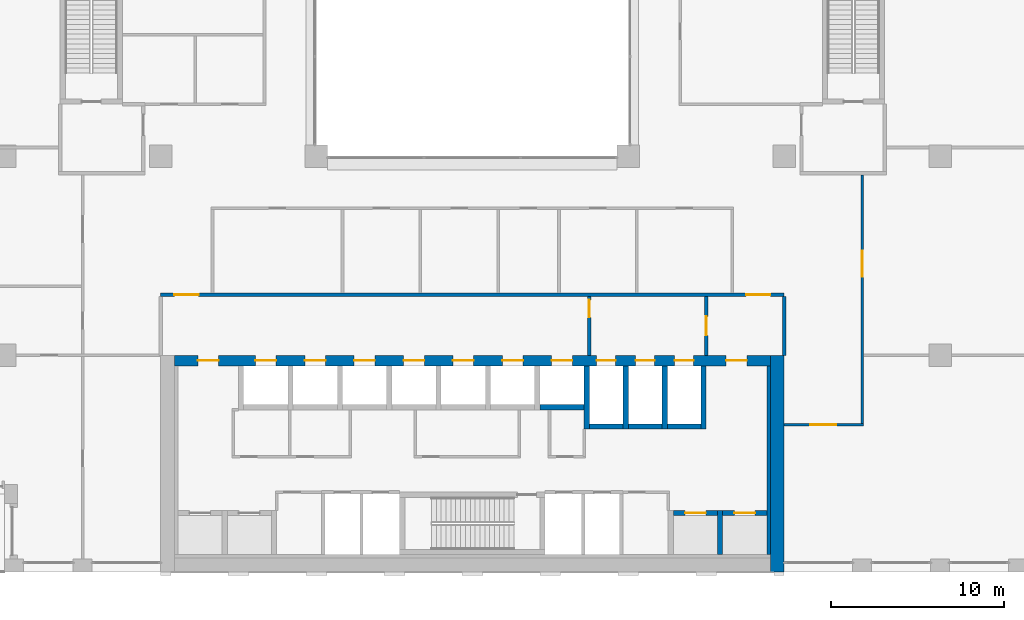
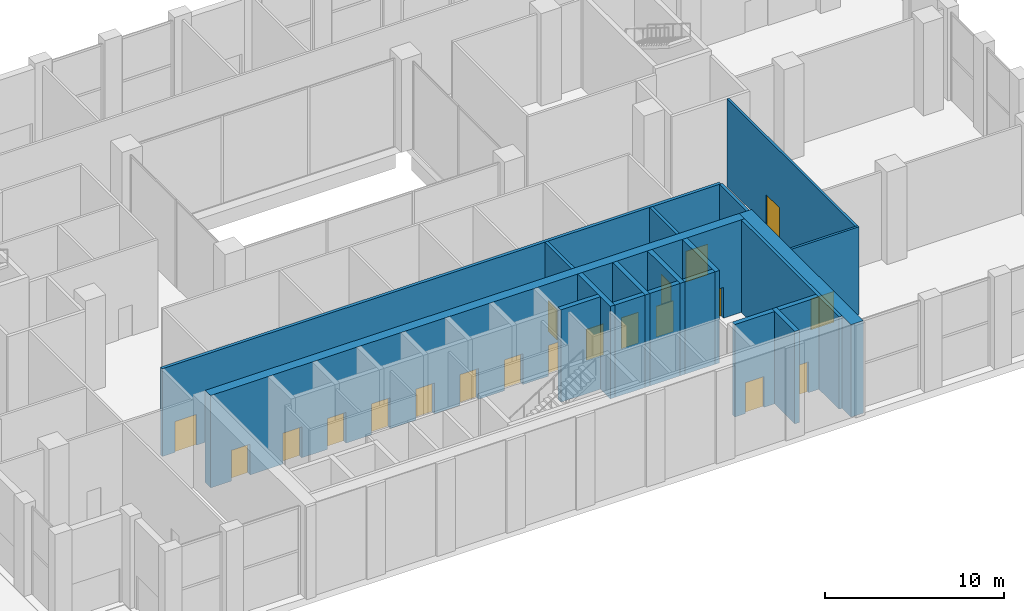
# One storey, part 15 of 21: 20 doors, 20 walls, 20 openings.
"""IFC4 building model written with IfcOpenShell, lengths in metres."""

from ifc_helpers import new_model, si_unit, direction, frame, frame_2d, origin, place, context, subcontext, project, spatial, rectangle, extrude, material, layer, layer_set, type_object, element, fill, save


model = new_model("IFC4")

# Units and contexts
model_context = context("Model", 3, precision=1e-05, world=origin(), true_north=direction((0.0, 1.0)))
body_context = subcontext(model_context, "Body", "Model", "MODEL_VIEW")
ifc_project = project(units=[si_unit("LENGTHUNIT", "METRE"), si_unit("AREAUNIT", "SQUARE_METRE"), si_unit("VOLUMEUNIT", "CUBIC_METRE"), si_unit("PLANEANGLEUNIT", "RADIAN"), si_unit("MASSUNIT", "GRAM", prefix="KILO")], contexts=[model_context])

# Site, building, storey
site_placement = place(None, origin())
site = spatial("IfcSite", under=ifc_project, at=site_placement, CompositionType="ELEMENT")
building_placement = place(site_placement, origin())
building = spatial("IfcBuilding", under=site, at=building_placement, Name="Brigalow Station Residences", CompositionType="ELEMENT")
storey_placement = place(building_placement, frame((0.0, 0.0, 77.25)))
storey = spatial("IfcBuildingStorey", under=building, at=storey_placement, Name="L22", CompositionType="ELEMENT", Elevation=77.25)

# Walls
ifc_material_1 = material(Name="Concrete C65", Category="concrete")
ifc_layer_1 = layer(ifc_material_1, 0.199951171875)
ifc_layer_set_1 = layer_set([ifc_layer_1], Name="CORE SHEAR WALL 200 C65")
wall_type_1 = type_object("IfcWallType", Name="CORE SHEAR WALL 200 C65", PredefinedType="SHEAR", material=ifc_layer_set_1)
wall_1_placement = place(storey_placement, frame((53.10009765625, 1.0, 0.0), z_axis=(0.0, 0.0, 1.0), x_axis=(0.0, 1.0, 0.0)))
element("IfcWall", 1, at=wall_1_placement, inside=storey, type_object=wall_type_1, Name="CORE WALL LIN-E L22", PredefinedType="SHEAR", context=body_context, shape_type="SweptSolid", body=[
    extrude(rectangle(XDim=10.89990234375, YDim=0.199951171875, at=frame_2d((5.449951171875, 0.0))), origin(), (0.0, 0.0, 1.0), 6.300048828125),
])
ifc_material_2 = material(Name="Concrete C65", Category="concrete")
ifc_layer_2 = layer(ifc_material_2, 0.300048828125)
ifc_layer_set_2 = layer_set([ifc_layer_2], Name="CORE SHEAR WALL 300 C65")
wall_type_2 = type_object("IfcWallType", Name="CORE SHEAR WALL 300 C65", PredefinedType="SHEAR", material=ifc_layer_set_2)
wall_2_placement = place(storey_placement, frame((39.89990234375, 9.5, 0.0), z_axis=(0.0, 0.0, 1.0), x_axis=(1.0, 0.0, 0.0)))
element("IfcWall", 2, at=wall_2_placement, inside=storey, type_object=wall_type_2, Name="CORE WALL SH-X2-S L22", PredefinedType="SHEAR", context=body_context, shape_type="SweptSolid", body=[
    extrude(rectangle(XDim=2.550048828125, YDim=0.300048828125, at=frame_2d((1.27490234375, 0.0))), origin(), (0.0, 0.0, 1.0), 6.300048828125),
])
wall_3_placement = place(storey_placement, frame((42.75, 8.39990234375, 0.0), z_axis=(0.0, 0.0, 1.0), x_axis=(1.0, 0.0, 0.0)))
element("IfcWall", 3, at=wall_3_placement, inside=storey, type_object=wall_type_2, Name="CORE WALL SH-FF1-S L22", PredefinedType="SHEAR", context=body_context, shape_type="SweptSolid", body=[
    extrude(rectangle(XDim=1.949951171875, YDim=0.300048828125, at=frame_2d((0.97509765625, 0.0))), origin(), (0.0, 0.0, 1.0), 6.300048828125),
])
wall_4_placement = place(storey_placement, frame((42.60009765625, 8.25, 0.0), z_axis=(0.0, 0.0, 1.0), x_axis=(0.0, 1.0, 0.0)))
element("IfcWall", 4, at=wall_4_placement, inside=storey, type_object=wall_type_2, Name="CORE WALL SH-FF1-W L22", PredefinedType="SHEAR", context=body_context, shape_type="SweptSolid", body=[
    extrude(rectangle(XDim=3.64990234375, YDim=0.300048828125, at=frame_2d((1.824951171875, 0.0))), origin(), (0.0, 0.0, 1.0), 6.300048828125),
])
wall_5_placement = place(storey_placement, frame((45.0, 8.39990234375, 0.0), z_axis=(0.0, 0.0, 1.0), x_axis=(1.0, 0.0, 0.0)))
element("IfcWall", 5, at=wall_5_placement, inside=storey, type_object=wall_type_2, Name="CORE WALL SH-FF2-S L22", PredefinedType="SHEAR", context=body_context, shape_type="SweptSolid", body=[
    extrude(rectangle(XDim=1.949951171875, YDim=0.300048828125, at=frame_2d((0.97509765625, 0.0))), origin(), (0.0, 0.0, 1.0), 6.300048828125),
])
wall_6_placement = place(storey_placement, frame((44.85009765625, 8.25, 0.0), z_axis=(0.0, 0.0, 1.0), x_axis=(0.0, 1.0, 0.0)))
element("IfcWall", 6, at=wall_6_placement, inside=storey, type_object=wall_type_2, Name="CORE WALL SH-FF2-W L22", PredefinedType="SHEAR", context=body_context, shape_type="SweptSolid", body=[
    extrude(rectangle(XDim=3.64990234375, YDim=0.300048828125, at=frame_2d((1.824951171875, 0.0))), origin(), (0.0, 0.0, 1.0), 6.300048828125),
])
wall_7_placement = place(storey_placement, frame((47.25, 8.39990234375, 0.0), z_axis=(0.0, 0.0, 1.0), x_axis=(1.0, 0.0, 0.0)))
element("IfcWall", 7, at=wall_7_placement, inside=storey, type_object=wall_type_2, Name="CORE WALL SH-SL1-S L22", PredefinedType="SHEAR", context=body_context, shape_type="SweptSolid", body=[
    extrude(rectangle(XDim=1.949951171875, YDim=0.300048828125, at=frame_2d((0.97509765625, 0.0))), origin(), (0.0, 0.0, 1.0), 6.300048828125),
])
for number, where, z_axis, x_axis, name in (
    (8, (47.10009765625, 8.25, 0.0), (0.0, 0.0, 1.0), (0.0, 1.0, 0.0), "CORE WALL SH-SL1-W L22"),
    (9, (49.35009765625, 8.25, 0.0), (0.0, 0.0, 1.0), (0.0, 1.0, 0.0), "CORE WALL SH-SL1-E L22"),
):
    element("IfcWall", number, at=place(storey_placement, frame(where, z_axis=z_axis, x_axis=x_axis)), inside=storey, type_object=wall_type_2, Name=name, PredefinedType="SHEAR", context=body_context, shape_type="SweptSolid", body=[
        extrude(rectangle(XDim=3.64990234375, YDim=0.300048828125, at=frame_2d((1.824951171875, 0.0))), origin(), (0.0, 0.0, 1.0), 6.300048828125),
    ])

# Wall, opening, door
wall_8_placement = place(storey_placement, frame((47.60009765625, 3.39990234375, 0.0), z_axis=(0.0, 0.0, 1.0), x_axis=(1.0, 0.0, 0.0)))
wall_8 = element("IfcWall", 10, at=wall_8_placement, inside=storey, type_object=wall_type_2, Name="CORE WALL SH-C3-N L22", PredefinedType="SHEAR", context=body_context, shape_type="SweptSolid", body=[
    extrude(rectangle(XDim=2.5498046875, YDim=0.300048828125, at=frame_2d((1.27490234375, 0.0))), origin(), (0.0, 0.0, 1.0), 6.300048828125),
])
opening_1_placement = place(wall_8_placement, frame((0.675048828125, 0.0, 0.0)))
opening_1 = element("IfcOpeningElement", 11, at=opening_1_placement, cuts=wall_8, Name="Opening LD-LB3", PredefinedType="OPENING", context=body_context, shape_type="SweptSolid", body=[
    extrude(rectangle(XDim=1.199951171875, YDim=2.10009765625, at=frame_2d((0.60009765625, 1.050048828125))), frame((0.0, 0.16015625, 0.0), z_axis=(0.0, -1.0, 0.0), x_axis=(1.0, 0.0, 0.0)), (0.0, 0.0, 1.0), 0.320068359375),
])
ifc_material_3 = material(Name="Stainless steel sliding door leaves", Category="steel")
door_type_1 = type_object("IfcDoorType", Name="LIFT LANDING DOOR 1200 x 2100", OperationType="DOUBLE_DOOR_SLIDING", PredefinedType="DOOR", material=ifc_material_3)
door_1_placement = place(opening_1_placement, origin())
door_1 = element("IfcDoor", 12, at=door_1_placement, inside=storey, type_object=door_type_1, Name="LANDING DOOR LB3", OperationType="DOUBLE_DOOR_SLIDING", OverallHeight=2.10009765625, OverallWidth=1.199951171875, PredefinedType="DOOR", context=body_context, shape_type="SweptSolid", body=[
    extrude(rectangle(XDim=1.199951171875, YDim=2.10009765625, at=frame_2d((0.60009765625, 1.050048828125))), frame((0.0, 0.02490234375, 0.0), z_axis=(0.0, -1.0, 0.0), x_axis=(1.0, 0.0, 0.0)), (0.0, 0.0, 1.0), 0.050048828125),
])
fill(opening_1, door_1)

wall_9_placement = place(storey_placement, frame((50.449951171875, 3.39990234375, 0.0), z_axis=(0.0, 0.0, 1.0), x_axis=(1.0, 0.0, 0.0)))
wall_9 = element("IfcWall", 13, at=wall_9_placement, inside=storey, type_object=wall_type_2, Name="CORE WALL SH-C4-N L22", PredefinedType="SHEAR", context=body_context, shape_type="SweptSolid", body=[
    extrude(rectangle(XDim=2.550048828125, YDim=0.300048828125, at=frame_2d((1.27490234375, 0.0))), origin(), (0.0, 0.0, 1.0), 6.300048828125),
])
opening_2_placement = place(wall_9_placement, frame((0.675048828125, 0.0, 0.0)))
opening_2 = element("IfcOpeningElement", 14, at=opening_2_placement, cuts=wall_9, Name="Opening LD-LB4", PredefinedType="OPENING", context=body_context, shape_type="SweptSolid", body=[
    extrude(rectangle(XDim=1.199951171875, YDim=2.10009765625, at=frame_2d((0.60009765625, 1.050048828125))), frame((0.0, 0.16015625, 0.0), z_axis=(0.0, -1.0, 0.0), x_axis=(1.0, 0.0, 0.0)), (0.0, 0.0, 1.0), 0.320068359375),
])
door_2_placement = place(opening_2_placement, origin())
door_2 = element("IfcDoor", 15, at=door_2_placement, inside=storey, type_object=door_type_1, Name="LANDING DOOR LB4", OperationType="DOUBLE_DOOR_SLIDING", OverallHeight=2.10009765625, OverallWidth=1.199951171875, PredefinedType="DOOR", context=body_context, shape_type="SweptSolid", body=[
    extrude(rectangle(XDim=1.199951171875, YDim=2.10009765625, at=frame_2d((0.60009765625, 1.050048828125))), frame((0.0, 0.02490234375, 0.0), z_axis=(0.0, -1.0, 0.0), x_axis=(1.0, 0.0, 0.0)), (0.0, 0.0, 1.0), 0.050048828125),
])
fill(opening_2, door_2)

# Wall
wall_10_placement = place(storey_placement, frame((50.300048828125, 1.0, 0.0), z_axis=(0.0, 0.0, 1.0), x_axis=(0.0, 1.0, 0.0)))
element("IfcWall", 16, at=wall_10_placement, inside=storey, type_object=wall_type_2, Name="CORE WALL SH-C4-W L22", PredefinedType="SHEAR", context=body_context, shape_type="SweptSolid", body=[
    extrude(rectangle(XDim=2.550048828125, YDim=0.300048828125, at=frame_2d((1.27490234375, 0.0))), origin(), (0.0, 0.0, 1.0), 6.300048828125),
])

# Wall, openings, doors
ifc_material_4 = material(Name="Concrete C65", Category="concrete")
ifc_layer_3 = layer(ifc_material_4, 0.60009765625)
ifc_layer_set_3 = layer_set([ifc_layer_3], Name="CORE SHEAR WALL 600 C65")
wall_type_3 = type_object("IfcWallType", Name="CORE SHEAR WALL 600 C65", PredefinedType="SHEAR", material=ifc_layer_set_3)
wall_11_placement = place(storey_placement, frame((18.800048828125, 12.199951171875, 0.0), z_axis=(0.0, 0.0, 1.0), x_axis=(1.0, 0.0, 0.0)))
wall_11 = element("IfcWall", 17, at=wall_11_placement, inside=storey, type_object=wall_type_3, Name="CORE WALL OUT-N L22", PredefinedType="SHEAR", context=body_context, shape_type="SweptSolid", body=[
    extrude(rectangle(XDim=34.39990234375, YDim=0.60009765625, at=frame_2d((17.199951171875, 0.0))), origin(), (0.0, 0.0, 1.0), 6.300048828125),
])
opening_3_placement = place(wall_11_placement, frame((4.675048828125, 0.0, 0.0)))
opening_3 = element("IfcOpeningElement", 18, at=opening_3_placement, cuts=wall_11, Name="Opening LD-LA1", PredefinedType="OPENING", context=body_context, shape_type="SweptSolid", body=[
    extrude(rectangle(XDim=1.199951171875, YDim=2.10009765625, at=frame_2d((0.60009765625, 1.050048828125))), frame((0.0, 0.31005859375, 0.0), z_axis=(0.0, -1.0, 0.0), x_axis=(1.0, 0.0, 0.0)), (0.0, 0.0, 1.0), 0.6201171875),
])
opening_4_placement = place(wall_11_placement, frame((7.52490234375, 0.0, 0.0)))
opening_4 = element("IfcOpeningElement", 19, at=opening_4_placement, cuts=wall_11, Name="Opening LD-LA2", PredefinedType="OPENING", context=body_context, shape_type="SweptSolid", body=[
    extrude(rectangle(XDim=1.199951171875, YDim=2.10009765625, at=frame_2d((0.60009765625, 1.050048828125))), frame((0.0, 0.31005859375, 0.0), z_axis=(0.0, -1.0, 0.0), x_axis=(1.0, 0.0, 0.0)), (0.0, 0.0, 1.0), 0.6201171875),
])
opening_5_placement = place(wall_11_placement, frame((10.375, 0.0, 0.0)))
opening_5 = element("IfcOpeningElement", 20, at=opening_5_placement, cuts=wall_11, Name="Opening LD-LA3", PredefinedType="OPENING", context=body_context, shape_type="SweptSolid", body=[
    extrude(rectangle(XDim=1.199951171875, YDim=2.10009765625, at=frame_2d((0.60009765625, 1.050048828125))), frame((0.0, 0.31005859375, 0.0), z_axis=(0.0, -1.0, 0.0), x_axis=(1.0, 0.0, 0.0)), (0.0, 0.0, 1.0), 0.6201171875),
])
opening_6_placement = place(wall_11_placement, frame((13.22509765625, 0.0, 0.0)))
opening_6 = element("IfcOpeningElement", 21, at=opening_6_placement, cuts=wall_11, Name="Opening LD-LA4", PredefinedType="OPENING", context=body_context, shape_type="SweptSolid", body=[
    extrude(rectangle(XDim=1.199951171875, YDim=2.10009765625, at=frame_2d((0.60009765625, 1.050048828125))), frame((0.0, 0.31005859375, 0.0), z_axis=(0.0, -1.0, 0.0), x_axis=(1.0, 0.0, 0.0)), (0.0, 0.0, 1.0), 0.6201171875),
])
opening_7_placement = place(wall_11_placement, frame((16.074951171875, 0.0, 0.0)))
opening_7 = element("IfcOpeningElement", 22, at=opening_7_placement, cuts=wall_11, Name="Opening LD-LA5", PredefinedType="OPENING", context=body_context, shape_type="SweptSolid", body=[
    extrude(rectangle(XDim=1.199951171875, YDim=2.10009765625, at=frame_2d((0.60009765625, 1.050048828125))), frame((0.0, 0.31005859375, 0.0), z_axis=(0.0, -1.0, 0.0), x_axis=(1.0, 0.0, 0.0)), (0.0, 0.0, 1.0), 0.6201171875),
])
opening_8_placement = place(wall_11_placement, frame((18.925048828125, 0.0, 0.0)))
opening_8 = element("IfcOpeningElement", 23, at=opening_8_placement, cuts=wall_11, Name="Opening LD-LS1", PredefinedType="OPENING", context=body_context, shape_type="SweptSolid", body=[
    extrude(rectangle(XDim=1.199951171875, YDim=2.10009765625, at=frame_2d((0.60009765625, 1.050048828125))), frame((0.0, 0.31005859375, 0.0), z_axis=(0.0, -1.0, 0.0), x_axis=(1.0, 0.0, 0.0)), (0.0, 0.0, 1.0), 0.6201171875),
])
opening_9_placement = place(wall_11_placement, frame((21.77490234375, 0.0, 0.0)))
opening_9 = element("IfcOpeningElement", 24, at=opening_9_placement, cuts=wall_11, Name="Opening LD-LS2", PredefinedType="OPENING", context=body_context, shape_type="SweptSolid", body=[
    extrude(rectangle(XDim=1.199951171875, YDim=2.10009765625, at=frame_2d((0.60009765625, 1.050048828125))), frame((0.0, 0.31005859375, 0.0), z_axis=(0.0, -1.0, 0.0), x_axis=(1.0, 0.0, 0.0)), (0.0, 0.0, 1.0), 0.6201171875),
])
opening_10_placement = place(wall_11_placement, frame((24.375, 0.0, 0.0)))
opening_10 = element("IfcOpeningElement", 25, at=opening_10_placement, cuts=wall_11, Name="Opening LD-LF1", PredefinedType="OPENING", context=body_context, shape_type="SweptSolid", body=[
    extrude(rectangle(XDim=1.10009765625, YDim=2.10009765625, at=frame_2d((0.550048828125, 1.050048828125))), frame((0.0, 0.31005859375, 0.0), z_axis=(0.0, -1.0, 0.0), x_axis=(1.0, 0.0, 0.0)), (0.0, 0.0, 1.0), 0.6201171875),
])
opening_11_placement = place(wall_11_placement, frame((26.625, 0.0, 0.0)))
opening_11 = element("IfcOpeningElement", 26, at=opening_11_placement, cuts=wall_11, Name="Opening LD-LF2", PredefinedType="OPENING", context=body_context, shape_type="SweptSolid", body=[
    extrude(rectangle(XDim=1.10009765625, YDim=2.10009765625, at=frame_2d((0.550048828125, 1.050048828125))), frame((0.0, 0.31005859375, 0.0), z_axis=(0.0, -1.0, 0.0), x_axis=(1.0, 0.0, 0.0)), (0.0, 0.0, 1.0), 0.6201171875),
])
opening_12_placement = place(wall_11_placement, frame((28.875, 0.0, 0.0)))
opening_12 = element("IfcOpeningElement", 27, at=opening_12_placement, cuts=wall_11, Name="Opening LD-LG1", PredefinedType="OPENING", context=body_context, shape_type="SweptSolid", body=[
    extrude(rectangle(XDim=1.10009765625, YDim=2.10009765625, at=frame_2d((0.550048828125, 1.050048828125))), frame((0.0, 0.31005859375, 0.0), z_axis=(0.0, -1.0, 0.0), x_axis=(1.0, 0.0, 0.0)), (0.0, 0.0, 1.0), 0.6201171875),
])
opening_13_placement = place(wall_11_placement, frame((1.35009765625, 0.0, 0.0)))
opening_13 = element("IfcOpeningElement", 28, at=opening_13_placement, cuts=wall_11, Name="Opening D-5011", PredefinedType="OPENING", context=body_context, shape_type="SweptSolid", body=[
    extrude(rectangle(XDim=1.199951171875, YDim=2.10009765625, at=frame_2d((0.60009765625, 1.050048828125))), frame((0.0, 0.31005859375, 0.0), z_axis=(0.0, -1.0, 0.0), x_axis=(1.0, 0.0, 0.0)), (0.0, 0.0, 1.0), 0.6201171875),
])
opening_14_placement = place(wall_11_placement, frame((31.85009765625, 0.0, 0.0)))
opening_14 = element("IfcOpeningElement", 29, at=opening_14_placement, cuts=wall_11, Name="Opening D-5012", PredefinedType="OPENING", context=body_context, shape_type="SweptSolid", body=[
    extrude(rectangle(XDim=1.199951171875, YDim=2.10009765625, at=frame_2d((0.60009765625, 1.050048828125))), frame((0.0, 0.31005859375, 0.0), z_axis=(0.0, -1.0, 0.0), x_axis=(1.0, 0.0, 0.0)), (0.0, 0.0, 1.0), 0.6201171875),
])
ifc_material_5 = material(Name="Steel fire door leaf in steel frame", Category="steel")
door_type_2 = type_object("IfcDoorType", Name="CORE CORRIDOR DOOR 1200 x 2100 FD60S", OperationType="SINGLE_SWING_LEFT", PredefinedType="DOOR", material=ifc_material_5)
door_3_placement = place(opening_13_placement, frame((1.199951171875, 0.0, 0.0), z_axis=(0.0, 0.0, 1.0), x_axis=(-1.0, 0.0, 0.0)))
door_3 = element("IfcDoor", 30, at=door_3_placement, inside=storey, type_object=door_type_2, Name="D-5011", OperationType="SINGLE_SWING_LEFT", OverallHeight=2.10009765625, OverallWidth=1.199951171875, PredefinedType="DOOR", context=body_context, shape_type="SweptSolid", body=[
    extrude(rectangle(XDim=1.199951171875, YDim=2.10009765625, at=frame_2d((0.60009765625, 1.050048828125))), frame((0.0, 0.02490234375, 0.0), z_axis=(0.0, -1.0, 0.0), x_axis=(1.0, 0.0, 0.0)), (0.0, 0.0, 1.0), 0.050048828125),
])
fill(opening_13, door_3)
door_4_placement = place(opening_14_placement, frame((1.199951171875, 0.0, 0.0), z_axis=(0.0, 0.0, 1.0), x_axis=(-1.0, 0.0, 0.0)))
door_4 = element("IfcDoor", 31, at=door_4_placement, inside=storey, type_object=door_type_2, Name="D-5012", OperationType="SINGLE_SWING_LEFT", OverallHeight=2.10009765625, OverallWidth=1.199951171875, PredefinedType="DOOR", context=body_context, shape_type="SweptSolid", body=[
    extrude(rectangle(XDim=1.199951171875, YDim=2.10009765625, at=frame_2d((0.60009765625, 1.050048828125))), frame((0.0, 0.02490234375, 0.0), z_axis=(0.0, -1.0, 0.0), x_axis=(1.0, 0.0, 0.0)), (0.0, 0.0, 1.0), 0.050048828125),
])
fill(opening_14, door_4)
ifc_material_6 = material(Name="Stainless steel sliding door leaves", Category="steel")
door_type_3 = type_object("IfcDoorType", Name="LIFT LANDING DOOR 1100 x 2100", OperationType="DOUBLE_DOOR_SLIDING", PredefinedType="DOOR", material=ifc_material_6)
door_5_placement = place(opening_10_placement, origin())
door_5 = element("IfcDoor", 32, at=door_5_placement, inside=storey, type_object=door_type_3, Name="LANDING DOOR LF1", OperationType="DOUBLE_DOOR_SLIDING", OverallHeight=2.10009765625, OverallWidth=1.10009765625, PredefinedType="DOOR", context=body_context, shape_type="SweptSolid", body=[
    extrude(rectangle(XDim=1.10009765625, YDim=2.10009765625, at=frame_2d((0.550048828125, 1.050048828125))), frame((0.0, 0.02490234375, 0.0), z_axis=(0.0, -1.0, 0.0), x_axis=(1.0, 0.0, 0.0)), (0.0, 0.0, 1.0), 0.050048828125),
])
fill(opening_10, door_5)
door_6_placement = place(opening_11_placement, origin())
door_6 = element("IfcDoor", 33, at=door_6_placement, inside=storey, type_object=door_type_3, Name="LANDING DOOR LF2", OperationType="DOUBLE_DOOR_SLIDING", OverallHeight=2.10009765625, OverallWidth=1.10009765625, PredefinedType="DOOR", context=body_context, shape_type="SweptSolid", body=[
    extrude(rectangle(XDim=1.10009765625, YDim=2.10009765625, at=frame_2d((0.550048828125, 1.050048828125))), frame((0.0, 0.02490234375, 0.0), z_axis=(0.0, -1.0, 0.0), x_axis=(1.0, 0.0, 0.0)), (0.0, 0.0, 1.0), 0.050048828125),
])
fill(opening_11, door_6)
door_7_placement = place(opening_12_placement, origin())
door_7 = element("IfcDoor", 34, at=door_7_placement, inside=storey, type_object=door_type_3, Name="LANDING DOOR LG1", OperationType="DOUBLE_DOOR_SLIDING", OverallHeight=2.10009765625, OverallWidth=1.10009765625, PredefinedType="DOOR", context=body_context, shape_type="SweptSolid", body=[
    extrude(rectangle(XDim=1.10009765625, YDim=2.10009765625, at=frame_2d((0.550048828125, 1.050048828125))), frame((0.0, 0.02490234375, 0.0), z_axis=(0.0, -1.0, 0.0), x_axis=(1.0, 0.0, 0.0)), (0.0, 0.0, 1.0), 0.050048828125),
])
fill(opening_12, door_7)
door_8_placement = place(opening_3_placement, origin())
door_8 = element("IfcDoor", 35, at=door_8_placement, inside=storey, type_object=door_type_1, Name="LANDING DOOR LA1", OperationType="DOUBLE_DOOR_SLIDING", OverallHeight=2.10009765625, OverallWidth=1.199951171875, PredefinedType="DOOR", context=body_context, shape_type="SweptSolid", body=[
    extrude(rectangle(XDim=1.199951171875, YDim=2.10009765625, at=frame_2d((0.60009765625, 1.050048828125))), frame((0.0, 0.02490234375, 0.0), z_axis=(0.0, -1.0, 0.0), x_axis=(1.0, 0.0, 0.0)), (0.0, 0.0, 1.0), 0.050048828125),
])
fill(opening_3, door_8)
door_9_placement = place(opening_4_placement, origin())
door_9 = element("IfcDoor", 36, at=door_9_placement, inside=storey, type_object=door_type_1, Name="LANDING DOOR LA2", OperationType="DOUBLE_DOOR_SLIDING", OverallHeight=2.10009765625, OverallWidth=1.199951171875, PredefinedType="DOOR", context=body_context, shape_type="SweptSolid", body=[
    extrude(rectangle(XDim=1.199951171875, YDim=2.10009765625, at=frame_2d((0.60009765625, 1.050048828125))), frame((0.0, 0.02490234375, 0.0), z_axis=(0.0, -1.0, 0.0), x_axis=(1.0, 0.0, 0.0)), (0.0, 0.0, 1.0), 0.050048828125),
])
fill(opening_4, door_9)
door_10_placement = place(opening_5_placement, origin())
door_10 = element("IfcDoor", 37, at=door_10_placement, inside=storey, type_object=door_type_1, Name="LANDING DOOR LA3", OperationType="DOUBLE_DOOR_SLIDING", OverallHeight=2.10009765625, OverallWidth=1.199951171875, PredefinedType="DOOR", context=body_context, shape_type="SweptSolid", body=[
    extrude(rectangle(XDim=1.199951171875, YDim=2.10009765625, at=frame_2d((0.60009765625, 1.050048828125))), frame((0.0, 0.02490234375, 0.0), z_axis=(0.0, -1.0, 0.0), x_axis=(1.0, 0.0, 0.0)), (0.0, 0.0, 1.0), 0.050048828125),
])
fill(opening_5, door_10)
door_11_placement = place(opening_6_placement, origin())
door_11 = element("IfcDoor", 38, at=door_11_placement, inside=storey, type_object=door_type_1, Name="LANDING DOOR LA4", OperationType="DOUBLE_DOOR_SLIDING", OverallHeight=2.10009765625, OverallWidth=1.199951171875, PredefinedType="DOOR", context=body_context, shape_type="SweptSolid", body=[
    extrude(rectangle(XDim=1.199951171875, YDim=2.10009765625, at=frame_2d((0.60009765625, 1.050048828125))), frame((0.0, 0.02490234375, 0.0), z_axis=(0.0, -1.0, 0.0), x_axis=(1.0, 0.0, 0.0)), (0.0, 0.0, 1.0), 0.050048828125),
])
fill(opening_6, door_11)
door_12_placement = place(opening_7_placement, origin())
door_12 = element("IfcDoor", 39, at=door_12_placement, inside=storey, type_object=door_type_1, Name="LANDING DOOR LA5", OperationType="DOUBLE_DOOR_SLIDING", OverallHeight=2.10009765625, OverallWidth=1.199951171875, PredefinedType="DOOR", context=body_context, shape_type="SweptSolid", body=[
    extrude(rectangle(XDim=1.199951171875, YDim=2.10009765625, at=frame_2d((0.60009765625, 1.050048828125))), frame((0.0, 0.02490234375, 0.0), z_axis=(0.0, -1.0, 0.0), x_axis=(1.0, 0.0, 0.0)), (0.0, 0.0, 1.0), 0.050048828125),
])
fill(opening_7, door_12)
door_13_placement = place(opening_8_placement, origin())
door_13 = element("IfcDoor", 40, at=door_13_placement, inside=storey, type_object=door_type_1, Name="LANDING DOOR LS1", OperationType="DOUBLE_DOOR_SLIDING", OverallHeight=2.10009765625, OverallWidth=1.199951171875, PredefinedType="DOOR", context=body_context, shape_type="SweptSolid", body=[
    extrude(rectangle(XDim=1.199951171875, YDim=2.10009765625, at=frame_2d((0.60009765625, 1.050048828125))), frame((0.0, 0.02490234375, 0.0), z_axis=(0.0, -1.0, 0.0), x_axis=(1.0, 0.0, 0.0)), (0.0, 0.0, 1.0), 0.050048828125),
])
fill(opening_8, door_13)
door_14_placement = place(opening_9_placement, origin())
door_14 = element("IfcDoor", 41, at=door_14_placement, inside=storey, type_object=door_type_1, Name="LANDING DOOR LS2", OperationType="DOUBLE_DOOR_SLIDING", OverallHeight=2.10009765625, OverallWidth=1.199951171875, PredefinedType="DOOR", context=body_context, shape_type="SweptSolid", body=[
    extrude(rectangle(XDim=1.199951171875, YDim=2.10009765625, at=frame_2d((0.60009765625, 1.050048828125))), frame((0.0, 0.02490234375, 0.0), z_axis=(0.0, -1.0, 0.0), x_axis=(1.0, 0.0, 0.0)), (0.0, 0.0, 1.0), 0.050048828125),
])
fill(opening_9, door_14)

# Wall
ifc_material_7 = material(Name="Concrete C65", Category="concrete")
ifc_layer_4 = layer(ifc_material_7, 0.800048828125)
ifc_layer_set_4 = layer_set([ifc_layer_4], Name="CORE SHEAR WALL 800 C65")
wall_type_4 = type_object("IfcWallType", Name="CORE SHEAR WALL 800 C65", PredefinedType="SHEAR", material=ifc_layer_set_4)
wall_12_placement = place(storey_placement, frame((53.60009765625, 0.0, 0.0), z_axis=(0.0, 0.0, 1.0), x_axis=(0.0, 1.0, 0.0)))
element("IfcWall", 42, at=wall_12_placement, inside=storey, type_object=wall_type_4, Name="CORE WALL OUT-E L22", PredefinedType="SHEAR", context=body_context, shape_type="SweptSolid", body=[
    extrude(rectangle(XDim=12.5, YDim=0.800048828125, at=frame_2d((6.25, 0.0))), origin(), (0.0, 0.0, 1.0), 6.300048828125),
])

# Wall, opening, door
ifc_material_8 = material(Name="Concrete blockwork", Category="masonry")
ifc_layer_5 = layer(ifc_material_8, 0.199951171875)
ifc_layer_set_5 = layer_set([ifc_layer_5], Name="FIRE RATED CORE PARTITION 200")
wall_type_5 = type_object("IfcWallType", Name="FIRE RATED CORE PARTITION 200", PredefinedType="PARTITIONING", material=ifc_layer_set_5)
wall_13_placement = place(storey_placement, frame((42.75, 12.5, 0.0), z_axis=(0.0, 0.0, 1.0), x_axis=(0.0, 1.0, 0.0)))
wall_13 = element("IfcWall", 43, at=wall_13_placement, inside=storey, type_object=wall_type_5, Name="PW-5014", PredefinedType="PARTITIONING", context=body_context, shape_type="SweptSolid", body=[
    extrude(rectangle(XDim=3.39990234375, YDim=0.199951171875, at=frame_2d((1.699951171875, 0.0))), origin(), (0.0, 0.0, 1.0), 5.97998046875),
])
opening_15_placement = place(wall_13_placement, frame((2.199951171875, 0.0, 0.0)))
opening_15 = element("IfcOpeningElement", 44, at=opening_15_placement, cuts=wall_13, Name="Opening D-5013", PredefinedType="OPENING", context=body_context, shape_type="SweptSolid", body=[
    extrude(rectangle(XDim=1.0, YDim=2.10009765625, at=frame_2d((0.5, 1.050048828125))), frame((0.0, 0.10986328125, 0.0), z_axis=(0.0, -1.0, 0.0), x_axis=(1.0, 0.0, 0.0)), (0.0, 0.0, 1.0), 0.219970703125),
])
ifc_material_9 = material(Name="Steel fire door leaf in steel frame", Category="steel")
door_type_4 = type_object("IfcDoorType", Name="LOBBY DOOR 1000 x 2100 FD60S", OperationType="SINGLE_SWING_LEFT", PredefinedType="DOOR", material=ifc_material_9)
door_15_placement = place(opening_15_placement, origin())
door_15 = element("IfcDoor", 45, at=door_15_placement, inside=storey, type_object=door_type_4, Name="D-5013", OperationType="SINGLE_SWING_RIGHT", OverallHeight=2.10009765625, OverallWidth=1.0, PredefinedType="DOOR", context=body_context, shape_type="SweptSolid", body=[
    extrude(rectangle(XDim=1.0, YDim=2.10009765625, at=frame_2d((0.5, 1.050048828125))), frame((0.0, 0.02490234375, 0.0), z_axis=(0.0, -1.0, 0.0), x_axis=(1.0, 0.0, 0.0)), (0.0, 0.0, 1.0), 0.050048828125),
])
fill(opening_15, door_15)

wall_14_placement = place(storey_placement, frame((49.5, 12.5, 0.0), z_axis=(0.0, 0.0, 1.0), x_axis=(0.0, 1.0, 0.0)))
wall_14 = element("IfcWall", 46, at=wall_14_placement, inside=storey, type_object=wall_type_5, Name="PW-5015", PredefinedType="PARTITIONING", context=body_context, shape_type="SweptSolid", body=[
    extrude(rectangle(XDim=3.39990234375, YDim=0.199951171875, at=frame_2d((1.699951171875, 0.0))), origin(), (0.0, 0.0, 1.0), 5.97998046875),
])
opening_16_placement = place(wall_14_placement, frame((1.14990234375, 0.0, 0.0)))
opening_16 = element("IfcOpeningElement", 47, at=opening_16_placement, cuts=wall_14, Name="Opening D-5014", PredefinedType="OPENING", context=body_context, shape_type="SweptSolid", body=[
    extrude(rectangle(XDim=1.10009765625, YDim=2.10009765625, at=frame_2d((0.550048828125, 1.050048828125))), frame((0.0, 0.10986328125, 0.0), z_axis=(0.0, -1.0, 0.0), x_axis=(1.0, 0.0, 0.0)), (0.0, 0.0, 1.0), 0.219970703125),
])
ifc_material_10 = material(Name="Steel fire door leaf in steel frame", Category="steel")
door_type_5 = type_object("IfcDoorType", Name="LOBBY DOOR 1100 x 2100 FD60S", OperationType="SINGLE_SWING_LEFT", PredefinedType="DOOR", material=ifc_material_10)
door_16_placement = place(opening_16_placement, origin())
door_16 = element("IfcDoor", 48, at=door_16_placement, inside=storey, type_object=door_type_5, Name="D-5014", OperationType="SINGLE_SWING_LEFT", OverallHeight=2.10009765625, OverallWidth=1.10009765625, PredefinedType="DOOR", context=body_context, shape_type="SweptSolid", body=[
    extrude(rectangle(XDim=1.10009765625, YDim=2.10009765625, at=frame_2d((0.550048828125, 1.050048828125))), frame((0.0, 0.02490234375, 0.0), z_axis=(0.0, -1.0, 0.0), x_axis=(1.0, 0.0, 0.0)), (0.0, 0.0, 1.0), 0.050048828125),
])
fill(opening_16, door_16)

# Wall
wall_15_placement = place(storey_placement, frame((54.0, 12.5, 0.0), z_axis=(0.0, 0.0, 1.0), x_axis=(0.0, 1.0, 0.0)))
element("IfcWall", 49, at=wall_15_placement, inside=storey, type_object=wall_type_5, Name="PW-5016", PredefinedType="PARTITIONING", context=body_context, shape_type="SweptSolid", body=[
    extrude(rectangle(XDim=3.39990234375, YDim=0.199951171875, at=frame_2d((1.699951171875, 0.0))), origin(), (0.0, 0.0, 1.0), 5.97998046875),
])

# Wall, opening, door
ifc_material_11 = material(Name="Plasterboard on steel stud partition", Category="steel")
ifc_layer_6 = layer(ifc_material_11, 0.14990234375)
ifc_layer_set_6 = layer_set([ifc_layer_6], Name="FLAT PARTITION 150")
wall_type_6 = type_object("IfcWallType", Name="FLAT PARTITION 150", PredefinedType="PARTITIONING", material=ifc_layer_set_6)
wall_16_placement = place(storey_placement, frame((54.0, 8.5, 0.0), z_axis=(0.0, 0.0, 1.0), x_axis=(1.0, 0.0, 0.0)))
wall_16 = element("IfcWall", 50, at=wall_16_placement, inside=storey, type_object=wall_type_6, Name="PW-SA110", PredefinedType="PARTITIONING", context=body_context, shape_type="SweptSolid", body=[
    extrude(rectangle(XDim=4.574951171875, YDim=0.14990234375, at=frame_2d((2.28759765625, 0.0))), origin(), (0.0, 0.0, 1.0), 5.97998046875),
])
opening_17_placement = place(wall_16_placement, frame((1.5, 0.0, 0.0)))
opening_17 = element("IfcOpeningElement", 51, at=opening_17_placement, cuts=wall_16, Name="Opening D-SA128", PredefinedType="OPENING", context=body_context, shape_type="SweptSolid", body=[
    extrude(rectangle(XDim=1.5, YDim=2.10009765625, at=frame_2d((0.75, 1.050048828125))), frame((0.0, 0.0849609375, 0.0), z_axis=(0.0, -1.0, 0.0), x_axis=(1.0, 0.0, 0.0)), (0.0, 0.0, 1.0), 0.169921875),
])
ifc_material_12 = material(Name="Solid-core timber door leaf", Category="wood")
door_type_6 = type_object("IfcDoorType", Name="INTERNAL DOUBLE DOOR 1500 x 2100", OperationType="DOUBLE_DOOR_SINGLE_SWING", PredefinedType="DOOR", material=ifc_material_12)
door_17_placement = place(opening_17_placement, origin())
door_17 = element("IfcDoor", 52, at=door_17_placement, inside=storey, type_object=door_type_6, Name="D-SA128", OperationType="DOUBLE_DOOR_SINGLE_SWING", OverallHeight=2.10009765625, OverallWidth=1.5, PredefinedType="DOOR", context=body_context, shape_type="SweptSolid", body=[
    extrude(rectangle(XDim=1.5, YDim=2.10009765625, at=frame_2d((0.75, 1.050048828125))), frame((0.0, 0.02490234375, 0.0), z_axis=(0.0, -1.0, 0.0), x_axis=(1.0, 0.0, 0.0)), (0.0, 0.0, 1.0), 0.050048828125),
])
fill(opening_17, door_17)

wall_17_placement = place(storey_placement, frame((58.5, 8.574951171875, 0.0), z_axis=(0.0, 0.0, 1.0), x_axis=(0.0, 1.0, 0.0)))
wall_17 = element("IfcWall", 53, at=wall_17_placement, inside=storey, type_object=wall_type_6, Name="PW-SA125", PredefinedType="PARTITIONING", context=body_context, shape_type="SweptSolid", body=[
    extrude(rectangle(XDim=14.324951171875, YDim=0.14990234375, at=frame_2d((7.16259765625, 0.0))), origin(), (0.0, 0.0, 1.0), 5.97998046875),
])
opening_18_placement = place(wall_17_placement, frame((8.449951171875, 0.0, 0.0)))
opening_18 = element("IfcOpeningElement", 54, at=opening_18_placement, cuts=wall_17, Name="Opening D-SA129", PredefinedType="OPENING", context=body_context, shape_type="SweptSolid", body=[
    extrude(rectangle(XDim=1.5, YDim=2.10009765625, at=frame_2d((0.75, 1.050048828125))), frame((0.0, 0.0849609375, 0.0), z_axis=(0.0, -1.0, 0.0), x_axis=(1.0, 0.0, 0.0)), (0.0, 0.0, 1.0), 0.169921875),
])
door_18_placement = place(opening_18_placement, frame((1.5, 0.0, 0.0), z_axis=(0.0, 0.0, 1.0), x_axis=(-1.0, 0.0, 0.0)))
door_18 = element("IfcDoor", 55, at=door_18_placement, inside=storey, type_object=door_type_6, Name="D-SA129", OperationType="DOUBLE_DOOR_SINGLE_SWING", OverallHeight=2.10009765625, OverallWidth=1.5, PredefinedType="DOOR", context=body_context, shape_type="SweptSolid", body=[
    extrude(rectangle(XDim=1.5, YDim=2.10009765625, at=frame_2d((0.75, 1.050048828125))), frame((0.0, 0.02490234375, 0.0), z_axis=(0.0, -1.0, 0.0), x_axis=(1.0, 0.0, 0.0)), (0.0, 0.0, 1.0), 0.050048828125),
])
fill(opening_18, door_18)

# Wall, openings, doors
ifc_material_13 = material(Name="Plasterboard on steel stud partition", Category="steel")
ifc_layer_7 = layer(ifc_material_13, 0.199951171875)
ifc_layer_set_7 = layer_set([ifc_layer_7], Name="PARTY AND CORRIDOR WALL 200")
wall_type_7 = type_object("IfcWallType", Name="PARTY AND CORRIDOR WALL 200", PredefinedType="PARTITIONING", material=ifc_layer_set_7)
wall_18_placement = place(storey_placement, frame((18.0, 16.0, 0.0), z_axis=(0.0, 0.0, 1.0), x_axis=(1.0, 0.0, 0.0)))
wall_18 = element("IfcWall", 56, at=wall_18_placement, inside=storey, type_object=wall_type_7, Name="PW-SA116", PredefinedType="PARTITIONING", context=body_context, shape_type="SweptSolid", body=[
    extrude(rectangle(XDim=36.0, YDim=0.199951171875, at=frame_2d((18.0, 0.0))), origin(), (0.0, 0.0, 1.0), 5.97998046875),
])
opening_19_placement = place(wall_18_placement, frame((0.800048828125, 0.0, 0.0)))
opening_19 = element("IfcOpeningElement", 57, at=opening_19_placement, cuts=wall_18, Name="Opening D-SA101", PredefinedType="OPENING", context=body_context, shape_type="SweptSolid", body=[
    extrude(rectangle(XDim=1.39990234375, YDim=2.10009765625, at=frame_2d((0.699951171875, 1.050048828125))), frame((0.0, 0.10986328125, 0.0), z_axis=(0.0, -1.0, 0.0), x_axis=(1.0, 0.0, 0.0)), (0.0, 0.0, 1.0), 0.219970703125),
])
opening_20_placement = place(wall_18_placement, frame((33.800048828125, 0.0, 0.0)))
opening_20 = element("IfcOpeningElement", 58, at=opening_20_placement, cuts=wall_18, Name="Opening D-SA102", PredefinedType="OPENING", context=body_context, shape_type="SweptSolid", body=[
    extrude(rectangle(XDim=1.39990234375, YDim=2.10009765625, at=frame_2d((0.699951171875, 1.050048828125))), frame((0.0, 0.10986328125, 0.0), z_axis=(0.0, -1.0, 0.0), x_axis=(1.0, 0.0, 0.0)), (0.0, 0.0, 1.0), 0.219970703125),
])
ifc_material_14 = material(Name="Solid-core timber door leaf", Category="wood")
door_type_7 = type_object("IfcDoorType", Name="CORRIDOR FIRE DOOR 1400 x 2100 FRL -/60/30", OperationType="DOUBLE_DOOR_SINGLE_SWING", PredefinedType="DOOR", material=ifc_material_14)
door_19_placement = place(opening_19_placement, frame((1.39990234375, 0.0, 0.0), z_axis=(0.0, 0.0, 1.0), x_axis=(-1.0, 0.0, 0.0)))
door_19 = element("IfcDoor", 59, at=door_19_placement, inside=storey, type_object=door_type_7, Name="D-SA101", OperationType="DOUBLE_DOOR_SINGLE_SWING", OverallHeight=2.10009765625, OverallWidth=1.39990234375, PredefinedType="DOOR", context=body_context, shape_type="SweptSolid", body=[
    extrude(rectangle(XDim=1.39990234375, YDim=2.10009765625, at=frame_2d((0.699951171875, 1.050048828125))), frame((0.0, 0.02490234375, 0.0), z_axis=(0.0, -1.0, 0.0), x_axis=(1.0, 0.0, 0.0)), (0.0, 0.0, 1.0), 0.050048828125),
])
fill(opening_19, door_19)
door_20_placement = place(opening_20_placement, frame((1.39990234375, 0.0, 0.0), z_axis=(0.0, 0.0, 1.0), x_axis=(-1.0, 0.0, 0.0)))
door_20 = element("IfcDoor", 60, at=door_20_placement, inside=storey, type_object=door_type_7, Name="D-SA102", OperationType="DOUBLE_DOOR_SINGLE_SWING", OverallHeight=2.10009765625, OverallWidth=1.39990234375, PredefinedType="DOOR", context=body_context, shape_type="SweptSolid", body=[
    extrude(rectangle(XDim=1.39990234375, YDim=2.10009765625, at=frame_2d((0.699951171875, 1.050048828125))), frame((0.0, 0.02490234375, 0.0), z_axis=(0.0, -1.0, 0.0), x_axis=(1.0, 0.0, 0.0)), (0.0, 0.0, 1.0), 0.050048828125),
])
fill(opening_20, door_20)

save(model, "model.ifc")
